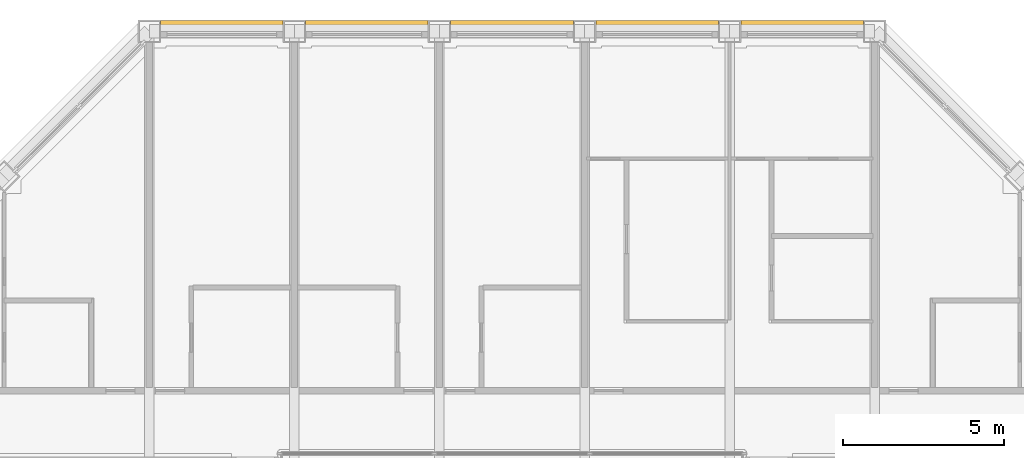
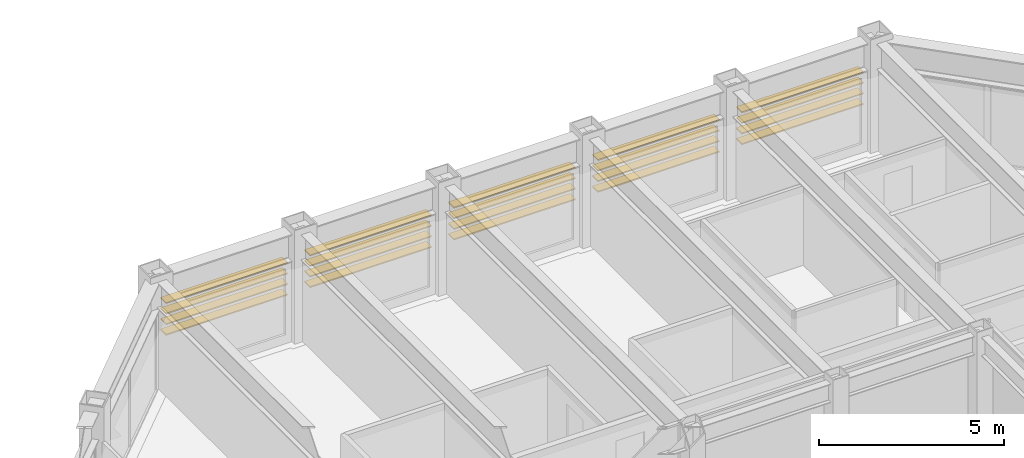
# One storey, part 18 of 18: 1 shading device.
"""IFC4 building model written with IfcOpenShell, lengths in metres."""

from ifc_helpers import new_model, si_unit, direction, frame, origin, origin_2d, place, context, subcontext, project, spatial, rectangle, extrude, material, type_object, element, save


model = new_model("IFC4")

# Units and contexts
model_context = context("Model", 3, precision=1e-05, world=origin(), true_north=direction((0.0, 1.0)))
body_context = subcontext(model_context, "Body", "Model", "MODEL_VIEW")
ifc_project = project(units=[si_unit("LENGTHUNIT", "METRE"), si_unit("AREAUNIT", "SQUARE_METRE"), si_unit("VOLUMEUNIT", "CUBIC_METRE"), si_unit("PLANEANGLEUNIT", "RADIAN"), si_unit("MASSUNIT", "GRAM", prefix="KILO")], contexts=[model_context])

# Site, building, storey
site_placement = place(None, origin())
site = spatial("IfcSite", under=ifc_project, at=site_placement, CompositionType="ELEMENT")
building_placement = place(site_placement, origin())
building = spatial("IfcBuilding", under=site, at=building_placement, Name="Msasa Ring Tower", CompositionType="ELEMENT")
storey_placement = place(building_placement, frame((0.0, 0.0, 227.050048828125)))
storey = spatial("IfcBuildingStorey", under=building, at=storey_placement, Name="L59", CompositionType="ELEMENT", Elevation=227.050048828125)

# Shading device
ifc_material = material(Name="Extruded terracotta blades", Category="masonry")
shading_device_type = type_object("IfcShadingDeviceType", Name="SS1 TERRACOTTA SUNSHADE 4 BLADES 300x40 AT 350", PredefinedType="USERDEFINED", material=ifc_material)
shading_device_placement = place(storey_placement, origin())
element("IfcShadingDevice", 1, at=shading_device_placement, inside=storey, type_object=shading_device_type, Name="Terracotta sunshade N L59", ObjectType="SUNSHADE", PredefinedType="USERDEFINED", context=body_context, shape_type="SweptSolid", body=[
    extrude(rectangle(XDim=0.0400390625, YDim=0.300048828125, at=origin_2d()), frame((-10.89990234375, 20.429931640625, 2.458984375), z_axis=(1.0, 0.0, 0.0), x_axis=(0.0, 0.0, 1.0)), (0.0, 0.0, 1.0), 3.800048828125),
    extrude(rectangle(XDim=0.0400390625, YDim=0.300048828125, at=origin_2d()), frame((-10.89990234375, 20.429931640625, 2.10888671875), z_axis=(1.0, 0.0, 0.0), x_axis=(0.0, 0.0, 1.0)), (0.0, 0.0, 1.0), 3.800048828125),
    extrude(rectangle(XDim=0.0400390625, YDim=0.300048828125, at=origin_2d()), frame((-10.89990234375, 20.429931640625, 1.759033203125), z_axis=(1.0, 0.0, 0.0), x_axis=(0.0, 0.0, 1.0)), (0.0, 0.0, 1.0), 3.800048828125),
    extrude(rectangle(XDim=0.0400390625, YDim=0.300048828125, at=origin_2d()), frame((-10.89990234375, 20.429931640625, 1.408935546875), z_axis=(1.0, 0.0, 0.0), x_axis=(0.0, 0.0, 1.0)), (0.0, 0.0, 1.0), 3.800048828125),
    extrude(rectangle(XDim=0.0400390625, YDim=0.300048828125, at=origin_2d()), frame((-6.39990234375, 20.429931640625, 2.458984375), z_axis=(1.0, 0.0, 0.0), x_axis=(0.0, 0.0, 1.0)), (0.0, 0.0, 1.0), 3.800048828125),
    extrude(rectangle(XDim=0.0400390625, YDim=0.300048828125, at=origin_2d()), frame((-6.39990234375, 20.429931640625, 2.10888671875), z_axis=(1.0, 0.0, 0.0), x_axis=(0.0, 0.0, 1.0)), (0.0, 0.0, 1.0), 3.800048828125),
    extrude(rectangle(XDim=0.0400390625, YDim=0.300048828125, at=origin_2d()), frame((-6.39990234375, 20.429931640625, 1.759033203125), z_axis=(1.0, 0.0, 0.0), x_axis=(0.0, 0.0, 1.0)), (0.0, 0.0, 1.0), 3.800048828125),
    extrude(rectangle(XDim=0.0400390625, YDim=0.300048828125, at=origin_2d()), frame((-6.39990234375, 20.429931640625, 1.408935546875), z_axis=(1.0, 0.0, 0.0), x_axis=(0.0, 0.0, 1.0)), (0.0, 0.0, 1.0), 3.800048828125),
    extrude(rectangle(XDim=0.0400390625, YDim=0.300048828125, at=origin_2d()), frame((-1.89990234375, 20.429931640625, 2.458984375), z_axis=(1.0, 0.0, 0.0), x_axis=(0.0, 0.0, 1.0)), (0.0, 0.0, 1.0), 3.800048828125),
    extrude(rectangle(XDim=0.0400390625, YDim=0.300048828125, at=origin_2d()), frame((-1.89990234375, 20.429931640625, 2.10888671875), z_axis=(1.0, 0.0, 0.0), x_axis=(0.0, 0.0, 1.0)), (0.0, 0.0, 1.0), 3.800048828125),
    extrude(rectangle(XDim=0.0400390625, YDim=0.300048828125, at=origin_2d()), frame((-1.89990234375, 20.429931640625, 1.759033203125), z_axis=(1.0, 0.0, 0.0), x_axis=(0.0, 0.0, 1.0)), (0.0, 0.0, 1.0), 3.800048828125),
    extrude(rectangle(XDim=0.0400390625, YDim=0.300048828125, at=origin_2d()), frame((-1.89990234375, 20.429931640625, 1.408935546875), z_axis=(1.0, 0.0, 0.0), x_axis=(0.0, 0.0, 1.0)), (0.0, 0.0, 1.0), 3.800048828125),
    extrude(rectangle(XDim=0.0400390625, YDim=0.300048828125, at=origin_2d()), frame((2.60009765625, 20.429931640625, 2.458984375), z_axis=(1.0, 0.0, 0.0), x_axis=(0.0, 0.0, 1.0)), (0.0, 0.0, 1.0), 3.800048828125),
    extrude(rectangle(XDim=0.0400390625, YDim=0.300048828125, at=origin_2d()), frame((2.60009765625, 20.429931640625, 2.10888671875), z_axis=(1.0, 0.0, 0.0), x_axis=(0.0, 0.0, 1.0)), (0.0, 0.0, 1.0), 3.800048828125),
    extrude(rectangle(XDim=0.0400390625, YDim=0.300048828125, at=origin_2d()), frame((2.60009765625, 20.429931640625, 1.759033203125), z_axis=(1.0, 0.0, 0.0), x_axis=(0.0, 0.0, 1.0)), (0.0, 0.0, 1.0), 3.800048828125),
    extrude(rectangle(XDim=0.0400390625, YDim=0.300048828125, at=origin_2d()), frame((2.60009765625, 20.429931640625, 1.408935546875), z_axis=(1.0, 0.0, 0.0), x_axis=(0.0, 0.0, 1.0)), (0.0, 0.0, 1.0), 3.800048828125),
    extrude(rectangle(XDim=0.0400390625, YDim=0.300048828125, at=origin_2d()), frame((7.10009765625, 20.429931640625, 2.458984375), z_axis=(1.0, 0.0, 0.0), x_axis=(0.0, 0.0, 1.0)), (0.0, 0.0, 1.0), 3.800048828125),
    extrude(rectangle(XDim=0.0400390625, YDim=0.300048828125, at=origin_2d()), frame((7.10009765625, 20.429931640625, 2.10888671875), z_axis=(1.0, 0.0, 0.0), x_axis=(0.0, 0.0, 1.0)), (0.0, 0.0, 1.0), 3.800048828125),
    extrude(rectangle(XDim=0.0400390625, YDim=0.300048828125, at=origin_2d()), frame((7.10009765625, 20.429931640625, 1.759033203125), z_axis=(1.0, 0.0, 0.0), x_axis=(0.0, 0.0, 1.0)), (0.0, 0.0, 1.0), 3.800048828125),
    extrude(rectangle(XDim=0.0400390625, YDim=0.300048828125, at=origin_2d()), frame((7.10009765625, 20.429931640625, 1.408935546875), z_axis=(1.0, 0.0, 0.0), x_axis=(0.0, 0.0, 1.0)), (0.0, 0.0, 1.0), 3.800048828125),
])

save(model, "model.ifc")
